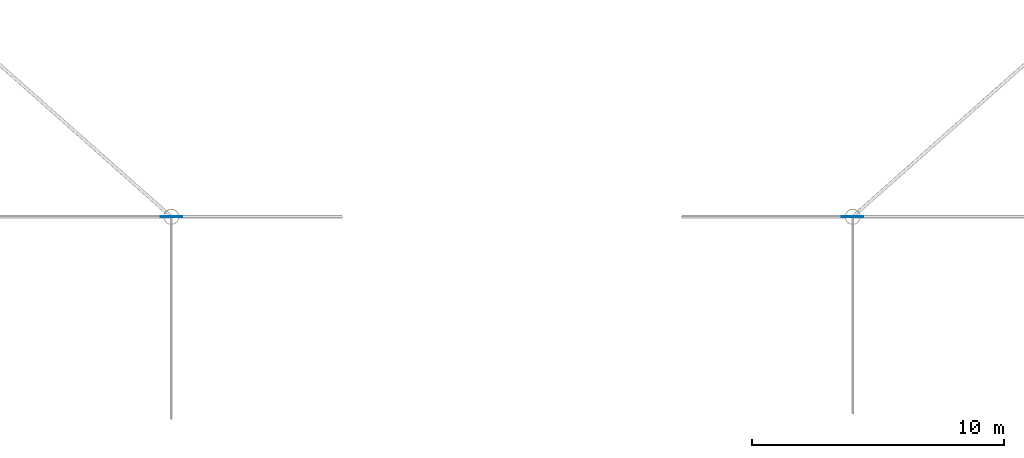
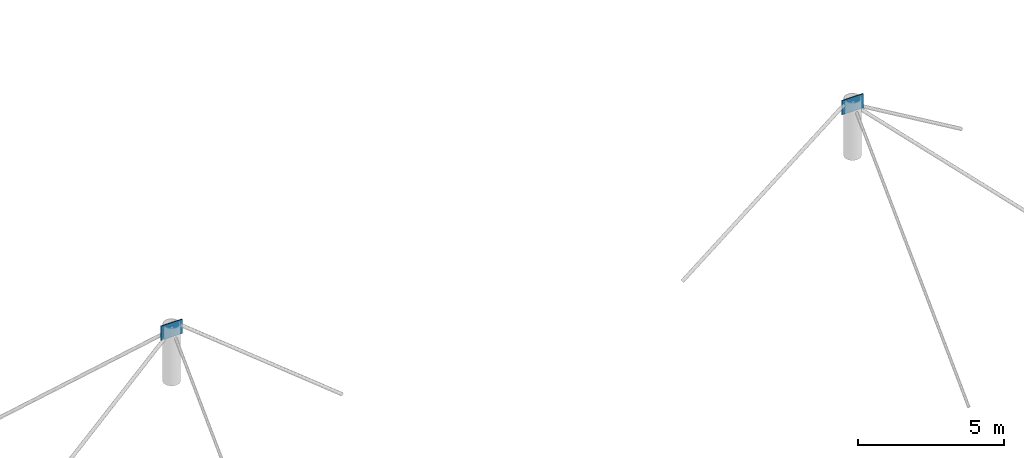
# One storey, part 45 of 58: 2 plates.
"""IFC4 building model written with IfcOpenShell, lengths in metres."""

from ifc_helpers import new_model, si_unit, derived_unit, direction, frame, origin, origin_2d, place, context, subcontext, project, spatial, rectangle, extrude, material, layer, layer_set, type_object, element, save


model = new_model("IFC4")

# Units and contexts
model_context = context("Model", 3, precision=1e-05, world=origin(), true_north=direction((0.0, 1.0)))
body_context = subcontext(model_context, "Body", "Model", "MODEL_VIEW")
ifc_project = project(units=[si_unit("LENGTHUNIT", "METRE"), si_unit("AREAUNIT", "SQUARE_METRE"), si_unit("VOLUMEUNIT", "CUBIC_METRE"), si_unit("PLANEANGLEUNIT", "RADIAN"), si_unit("MASSUNIT", "GRAM", prefix="KILO"), derived_unit("THERMALTRANSMITTANCEUNIT", [(si_unit("MASSUNIT", "GRAM", prefix="KILO"), 1), (si_unit("TIMEUNIT", "SECOND"), -3), (si_unit("THERMODYNAMICTEMPERATUREUNIT", "KELVIN"), -1)])], contexts=[model_context])

# Site, building, storey
site_placement = place(None, origin())
site = spatial("IfcSite", under=ifc_project, at=site_placement, CompositionType="ELEMENT")
building_placement = place(site_placement, origin())
building = spatial("IfcBuilding", under=site, at=building_placement, Name="Zhenchuan Archway Interchange", CompositionType="ELEMENT")
storey_placement = place(building_placement, frame((0.0, 0.0, 22.800048828125)))
storey = spatial("IfcBuildingStorey", under=building, at=storey_placement, Name="L05", CompositionType="ELEMENT", Elevation=22.800048828125)

# Plates
ifc_material = material(Name="Steel Q355", Category="steel")
ifc_layer = layer(ifc_material, 0.031982421875)
ifc_layer_set = layer_set([ifc_layer], Name="Steel Q355")
plate_type = type_object("IfcPlateType", Name="PLT_GUSSET_3", PredefinedType="SHEET", material=ifc_layer_set)
for number, where, z_axis, x_axis, name in (
    (1, (36.0, 80.0, 1.849853515625), (0.0, 0.0, 1.0), (1.0, 0.0, 0.0), "Concourse mast cable anchor gusset plate NW"),
    (2, (63.0, 80.0, 1.849853515625), (0.0, 0.0, 1.0), (1.0, 0.0, 0.0), "Concourse mast cable anchor gusset plate NE"),
):
    element("IfcPlate", number, at=place(storey_placement, frame(where, z_axis=z_axis, x_axis=x_axis)), inside=storey, type_object=plate_type, Name=name, PredefinedType="SHEET", context=body_context, shape_type="SweptSolid", body=[
        extrude(rectangle(XDim=0.85009765625, YDim=0.031982421875, at=origin_2d()), origin(), (0.0, 0.0, 1.0), 0.60009765625),
    ])

save(model, "model.ifc")
